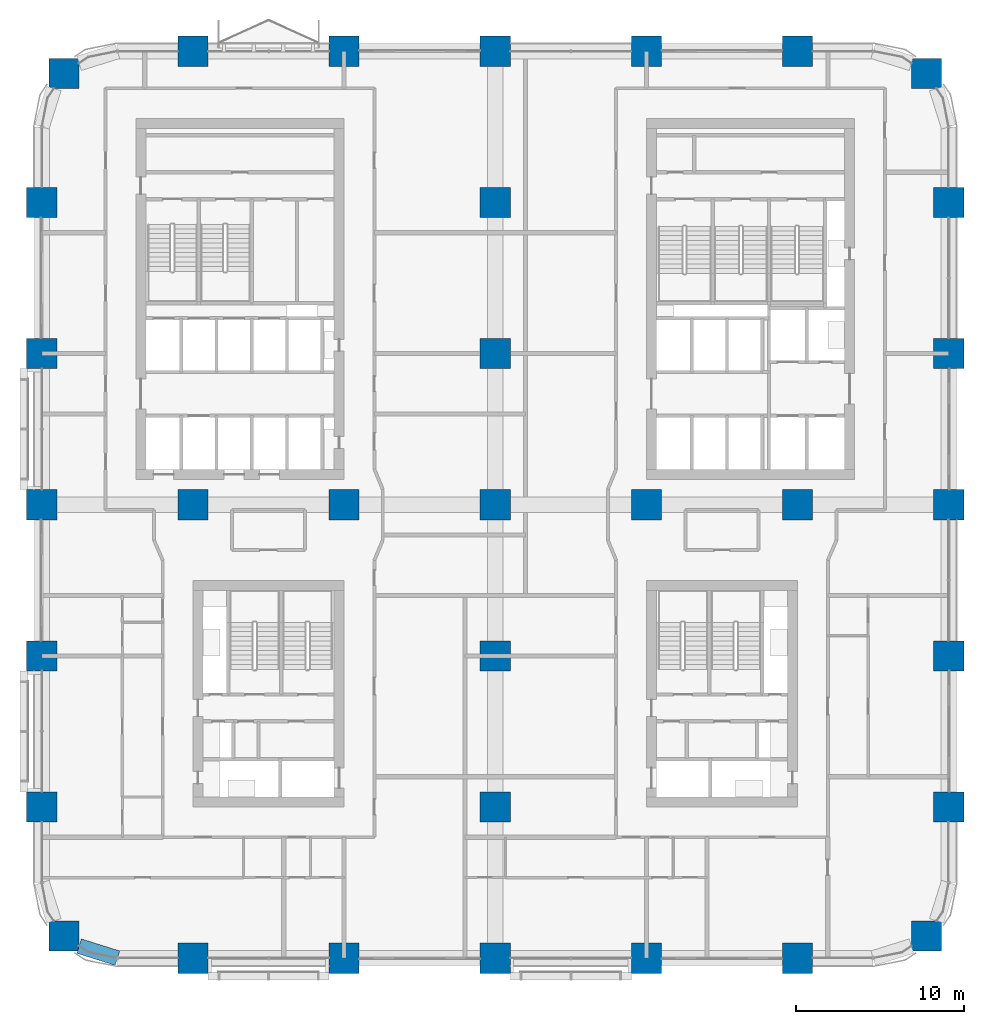
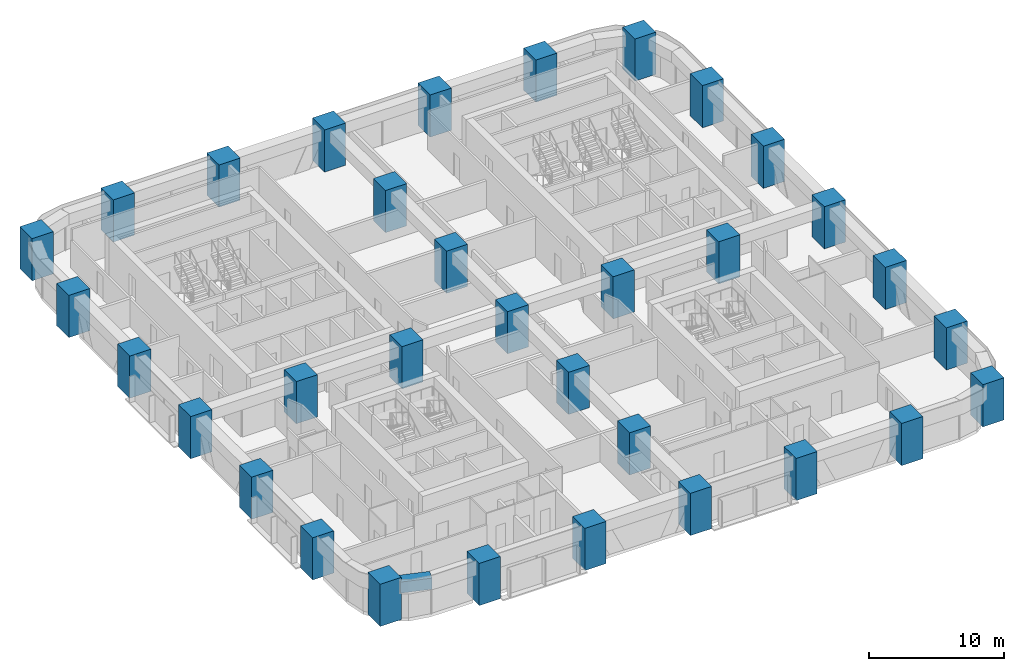
# One storey, part 1 of 23: 33 columns, 1 beam.
"""IFC4 building model written with IfcOpenShell, lengths in metres."""

from ifc_helpers import new_model, si_unit, direction, frame, origin, origin_2d, place, context, subcontext, project, spatial, rectangle, extrude, material, material_profile, profile_set, type_object, element, save


model = new_model("IFC4")

# Units and contexts
model_context = context("Model", 3, precision=1e-05, world=origin(), true_north=direction((0.0, 1.0)))
body_context = subcontext(model_context, "Body", "Model", "MODEL_VIEW")
ifc_project = project(units=[si_unit("LENGTHUNIT", "METRE"), si_unit("AREAUNIT", "SQUARE_METRE"), si_unit("VOLUMEUNIT", "CUBIC_METRE"), si_unit("PLANEANGLEUNIT", "RADIAN"), si_unit("MASSUNIT", "GRAM", prefix="KILO")], contexts=[model_context])

# Site, building, storey
site_placement = place(None, origin())
site = spatial("IfcSite", under=ifc_project, at=site_placement, CompositionType="ELEMENT")
building_placement = place(site_placement, origin())
building = spatial("IfcBuilding", under=site, at=building_placement, Name="Tessera Arch", CompositionType="ELEMENT")
storey_placement = place(building_placement, frame((0.0, 0.0, 57.60009765625)))
storey = spatial("IfcBuildingStorey", under=building, at=storey_placement, Name="L12", CompositionType="ELEMENT", Elevation=57.60009765625)

# Columns
ifc_material_1 = material(Name="Concrete C80/95", Category="concrete")
ifc_material_profile_1 = material_profile(ifc_material_1, rectangle(XDim=1.800048828125, YDim=1.800048828125, at=origin_2d()), Name="RC column 1800 x 1800 Concrete C80/95")
ifc_profile_set_1 = profile_set([ifc_material_profile_1], Name="Concrete C80/95")
column_type = type_object("IfcColumnType", Name="RC column 1800 x 1800 Concrete C80/95", PredefinedType="COLUMN", material=ifc_profile_set_1)
for number, where, z_axis, x_axis, name in (
    (1, (1.318115234375, 1.318115234375, 0.0), (0.0, 0.0, 1.0), (1.0, 0.0, 0.0), "Column C1A L12"),
    (2, (0.0, 9.0, 0.0), (0.0, 0.0, 1.0), (1.0, 0.0, 0.0), "Column C1B L12"),
    (3, (0.0, 18.0, 0.0), (0.0, 0.0, 1.0), (1.0, 0.0, 0.0), "Column C1C L12"),
    (4, (0.0, 27.0, 0.0), (0.0, 0.0, 1.0), (1.0, 0.0, 0.0), "Column C1D L12"),
    (5, (0.0, 36.0, 0.0), (0.0, 0.0, 1.0), (1.0, 0.0, 0.0), "Column C1E L12"),
    (6, (0.0, 45.0, 0.0), (0.0, 0.0, 1.0), (1.0, 0.0, 0.0), "Column C1F L12"),
    (7, (1.318115234375, 52.681884765625, 0.0), (0.0, 0.0, 1.0), (1.0, 0.0, 0.0), "Column C1G L12"),
    (8, (9.0, 0.0, 0.0), (0.0, 0.0, 1.0), (1.0, 0.0, 0.0), "Column C2A L12"),
    (9, (9.0, 27.0, 0.0), (0.0, 0.0, 1.0), (1.0, 0.0, 0.0), "Column C2D L12"),
    (10, (9.0, 54.0, 0.0), (0.0, 0.0, 1.0), (1.0, 0.0, 0.0), "Column C2G L12"),
    (11, (18.0, 0.0, 0.0), (0.0, 0.0, 1.0), (1.0, 0.0, 0.0), "Column C3A L12"),
    (12, (18.0, 27.0, 0.0), (0.0, 0.0, 1.0), (1.0, 0.0, 0.0), "Column C3D L12"),
    (13, (18.0, 54.0, 0.0), (0.0, 0.0, 1.0), (1.0, 0.0, 0.0), "Column C3G L12"),
    (14, (27.0, 0.0, 0.0), (0.0, 0.0, 1.0), (1.0, 0.0, 0.0), "Column C4A L12"),
    (15, (27.0, 9.0, 0.0), (0.0, 0.0, 1.0), (1.0, 0.0, 0.0), "Column C4B L12"),
    (16, (27.0, 18.0, 0.0), (0.0, 0.0, 1.0), (1.0, 0.0, 0.0), "Column C4C L12"),
    (17, (27.0, 27.0, 0.0), (0.0, 0.0, 1.0), (1.0, 0.0, 0.0), "Column C4D L12"),
    (18, (27.0, 36.0, 0.0), (0.0, 0.0, 1.0), (1.0, 0.0, 0.0), "Column C4E L12"),
    (19, (27.0, 45.0, 0.0), (0.0, 0.0, 1.0), (1.0, 0.0, 0.0), "Column C4F L12"),
    (20, (27.0, 54.0, 0.0), (0.0, 0.0, 1.0), (1.0, 0.0, 0.0), "Column C4G L12"),
    (21, (36.0, 0.0, 0.0), (0.0, 0.0, 1.0), (1.0, 0.0, 0.0), "Column C5A L12"),
    (22, (36.0, 27.0, 0.0), (0.0, 0.0, 1.0), (1.0, 0.0, 0.0), "Column C5D L12"),
    (23, (36.0, 54.0, 0.0), (0.0, 0.0, 1.0), (1.0, 0.0, 0.0), "Column C5G L12"),
    (24, (45.0, 0.0, 0.0), (0.0, 0.0, 1.0), (1.0, 0.0, 0.0), "Column C6A L12"),
    (25, (45.0, 27.0, 0.0), (0.0, 0.0, 1.0), (1.0, 0.0, 0.0), "Column C6D L12"),
    (26, (45.0, 54.0, 0.0), (0.0, 0.0, 1.0), (1.0, 0.0, 0.0), "Column C6G L12"),
    (27, (52.681884765625, 1.318115234375, 0.0), (0.0, 0.0, 1.0), (1.0, 0.0, 0.0), "Column C7A L12"),
    (28, (54.0, 9.0, 0.0), (0.0, 0.0, 1.0), (1.0, 0.0, 0.0), "Column C7B L12"),
    (29, (54.0, 18.0, 0.0), (0.0, 0.0, 1.0), (1.0, 0.0, 0.0), "Column C7C L12"),
    (30, (54.0, 27.0, 0.0), (0.0, 0.0, 1.0), (1.0, 0.0, 0.0), "Column C7D L12"),
    (31, (54.0, 36.0, 0.0), (0.0, 0.0, 1.0), (1.0, 0.0, 0.0), "Column C7E L12"),
    (32, (54.0, 45.0, 0.0), (0.0, 0.0, 1.0), (1.0, 0.0, 0.0), "Column C7F L12"),
    (33, (52.681884765625, 52.681884765625, 0.0), (0.0, 0.0, 1.0), (1.0, 0.0, 0.0), "Column C7G L12"),
):
    element("IfcColumn", number, at=place(storey_placement, frame(where, z_axis=z_axis, x_axis=x_axis)), inside=storey, type_object=column_type, Name=name, PredefinedType="COLUMN", context=body_context, shape_type="SweptSolid", body=[
        extrude(rectangle(XDim=1.800048828125, YDim=1.800048828125, at=origin_2d()), origin(), (0.0, 0.0, 1.0), 3.7998046875),
    ])

# Beam
ifc_material_2 = material(Name="Concrete C80/95", Category="concrete")
ifc_material_profile_2 = material_profile(ifc_material_2, rectangle(XDim=0.89990234375, YDim=1.0, at=origin_2d()), Name="RC spandrel beam 900 x 1000 Concrete C80/95")
ifc_profile_set_2 = profile_set([ifc_material_profile_2], Name="Concrete C80/95")
beam_type = type_object("IfcBeamType", Name="RC spandrel beam 900 x 1000 Concrete C80/95", PredefinedType="BEAM", material=ifc_profile_set_2)
beam_placement = place(storey_placement, frame((2.218017578125, 0.716796875, 3.0), z_axis=(0.954041251279, -0.299675309057, 0.0), x_axis=(0.299675309057, 0.954041251279, 0.0)))
element("IfcBeam", 34, at=beam_placement, inside=storey, type_object=beam_type, Name="Spandrel beam L12 S0.0/5.1", PredefinedType="BEAM", context=body_context, shape_type="SweptSolid", body=[
    extrude(rectangle(XDim=0.89990234375, YDim=1.0, at=origin_2d()), origin(), (0.0, 0.0, 1.0), 2.391845703125),
])

save(model, "model.ifc")
